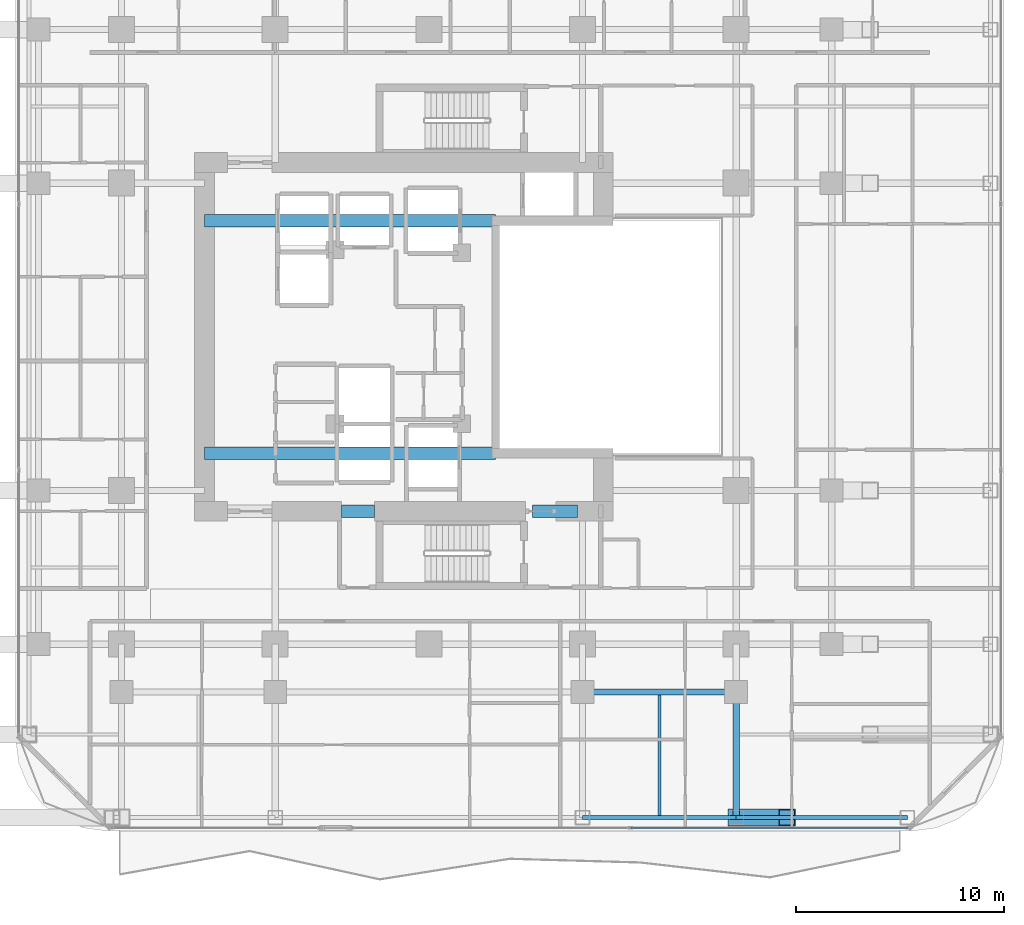
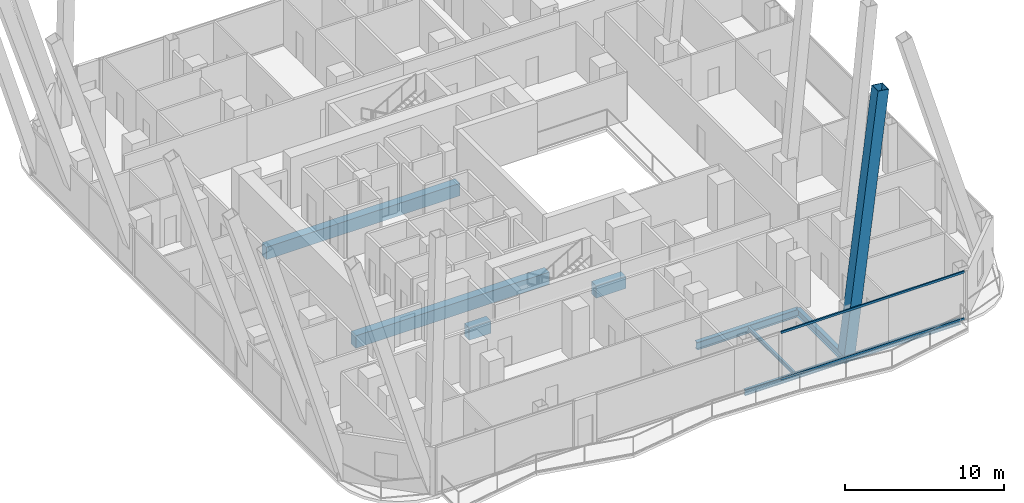
# One storey, part 8 of 32: 9 beams, 3 members, 1 element without a shape of its own.
"""IFC4 building model written with IfcOpenShell, lengths in metres."""

from ifc_helpers import new_model, si_unit, direction, frame, origin, origin_2d, place, context, subcontext, project, spatial, rectangle, hollow_rectangle, i_section, extrude, material, layer, layer_set, material_profile, profile_set, type_object, element, aggregate, save


model = new_model("IFC4")

# Units and contexts
model_context = context("Model", 3, precision=1e-05, world=origin(), true_north=direction((0.0, 1.0)))
body_context = subcontext(model_context, "Body", "Model", "MODEL_VIEW")
ifc_project = project(units=[si_unit("LENGTHUNIT", "METRE"), si_unit("AREAUNIT", "SQUARE_METRE"), si_unit("VOLUMEUNIT", "CUBIC_METRE"), si_unit("PLANEANGLEUNIT", "RADIAN"), si_unit("MASSUNIT", "GRAM", prefix="KILO")], contexts=[model_context])

# Site, building, storey
site_placement = place(None, origin())
site = spatial("IfcSite", under=ifc_project, at=site_placement, CompositionType="ELEMENT")
building_placement = place(site_placement, origin())
building = spatial("IfcBuilding", under=site, at=building_placement, Name="Khorvyn Point Tower", CompositionType="ELEMENT")
storey_placement = place(building_placement, frame((0.0, 0.0, 148.5)))
storey = spatial("IfcBuildingStorey", under=building, at=storey_placement, Name="L37", CompositionType="ELEMENT", Elevation=148.5)

# Curtain wall, members
ifc_material_1 = material(Name="Anodised aluminium 6063-T6 and laminated Low-E glass", Category="aluminium")
ifc_layer = layer(ifc_material_1, 0.18994140625)
ifc_layer_set = layer_set([ifc_layer], Name="Stick-Built Acoustic Curtain Wall CW-SYS-03")
curtain_wall_type = type_object("IfcCurtainWallType", Name="Stick-Built Acoustic Curtain Wall CW-SYS-03", PredefinedType="NOTDEFINED", material=ifc_layer_set)
curtain_wall_placement = place(storey_placement, origin())
curtain_wall = element("IfcCurtainWall", 1, at=curtain_wall_placement, inside=storey, type_object=curtain_wall_type, Name="Curtain Wall", PredefinedType="NOTDEFINED")
ifc_material_2 = material(Name="Anodised aluminium 6063-T6", Category="aluminium")
ifc_material_profile_1 = material_profile(ifc_material_2, hollow_rectangle(XDim=0.10009765625, YDim=0.159912109375, WallThickness=0.00439453125, at=origin_2d()))
ifc_profile_set_1 = profile_set([ifc_material_profile_1], Name="Anodised aluminium 6063-T6 ALU-TRN-100x160")
member_type_1 = type_object("IfcMemberType", Name="Anodised Aluminium 6063-T6 Transom ALU-TRN-100x160", PredefinedType="USERDEFINED", material=ifc_profile_set_1)
member_1_placement = place(storey_placement, frame((23.050048828125, -23.64990234375, 0.050048828125), z_axis=(-1.0, 0.0, 0.0), x_axis=(0.0, -1.0, 0.0)))
member_1 = element("IfcMember", 2, at=member_1_placement, type_object=member_type_1, Name="Transom", ObjectType="TRANSOM", PredefinedType="USERDEFINED", context=body_context, shape_type="SweptSolid", body=[
    extrude(hollow_rectangle(XDim=0.10009765625, YDim=0.159912109375, WallThickness=0.00439453125, at=origin_2d()), origin(), (0.0, 0.0, 1.0), 13.3056640625),
])
member_2_placement = place(storey_placement, frame((23.050048828125, -23.64990234375, 3.6298828125), z_axis=(-1.0, 0.0, 0.0), x_axis=(0.0, -1.0, 0.0)))
member_2 = element("IfcMember", 3, at=member_2_placement, type_object=member_type_1, Name="Transom", ObjectType="TRANSOM", PredefinedType="USERDEFINED", context=body_context, shape_type="SweptSolid", body=[
    extrude(hollow_rectangle(XDim=0.10009765625, YDim=0.159912109375, WallThickness=0.00439453125, at=origin_2d()), origin(), (0.0, 0.0, 1.0), 13.3056640625),
])
aggregate(curtain_wall, [member_1, member_2])

# Beams
ifc_material_3 = material(Name="Concrete C50/60", Category="concrete")
ifc_material_profile_2 = material_profile(ifc_material_3, rectangle(XDim=0.60009765625, YDim=0.949951171875, at=origin_2d()))
ifc_profile_set_2 = profile_set([ifc_material_profile_2], Name="Concrete C50/60 RC600x950")
beam_type_1 = type_object("IfcBeamType", Name="Concrete C50/60 Beam RC600x950", PredefinedType="BEAM", material=ifc_profile_set_2)
for number, where, z_axis, x_axis, name in (
    (4, (-10.800048828125, -5.60009765625, -0.695068359375), (1.0, 0.0, 0.0), (0.0, 1.0, 0.0), "L37 Core Internal Tie Girder S"),
    (5, (-10.800048828125, 5.60009765625, -0.695068359375), (1.0, 0.0, 0.0), (0.0, 1.0, 0.0), "L37 Core Internal Tie Girder N"),
):
    element("IfcBeam", number, at=place(storey_placement, frame(where, z_axis=z_axis, x_axis=x_axis)), inside=storey, type_object=beam_type_1, Name=name, PredefinedType="BEAM", context=body_context, shape_type="SweptSolid", body=[
        extrude(rectangle(XDim=0.60009765625, YDim=0.949951171875, at=origin_2d()), origin(), (0.0, 0.0, 1.0), 14.02001953125),
    ])
beam_1_placement = place(storey_placement, frame((-4.199951171875, -8.39990234375, -0.695068359375), z_axis=(1.0, 0.0, 0.0), x_axis=(0.0, 1.0, 0.0)))
element("IfcBeam", 6, at=beam_1_placement, inside=storey, type_object=beam_type_1, Name="L37 Core Shuttle Portal Coupling Beam", PredefinedType="BEAM", context=body_context, shape_type="SweptSolid", body=[
    extrude(rectangle(XDim=0.60009765625, YDim=0.949951171875, at=origin_2d()), origin(), (0.0, 0.0, 1.0), 1.579833984375),
])
beam_2_placement = place(storey_placement, frame((5.0, -8.39990234375, -0.695068359375), z_axis=(1.0, 0.0, 0.0), x_axis=(0.0, 1.0, 0.0)))
element("IfcBeam", 7, at=beam_2_placement, inside=storey, type_object=beam_type_1, Name="L37 Core Southeast Portal Coupling Beam", PredefinedType="BEAM", context=body_context, shape_type="SweptSolid", body=[
    extrude(rectangle(XDim=0.60009765625, YDim=0.949951171875, at=origin_2d()), origin(), (0.0, 0.0, 1.0), 2.14990234375),
])
ifc_material_4 = material(Name="Steel S355", Category="steel")
ifc_material_profile_3 = material_profile(ifc_material_4, i_section(OverallWidth=0.300048828125, OverallDepth=0.587890625, WebThickness=0.011962890625, FlangeThickness=0.02001953125, at=origin_2d()))
ifc_profile_set_3 = profile_set([ifc_material_profile_3], Name="Steel S355 H588x300x12x20")
beam_type_2 = type_object("IfcBeamType", Name="Steel S355 Beam H588x300x12x20", PredefinedType="BEAM", material=ifc_profile_set_3)
beam_3_placement = place(storey_placement, frame((7.39990234375, -17.10009765625, -0.513916015625), z_axis=(1.0, 0.0, 0.0), x_axis=(0.0, 1.0, 0.0)))
element("IfcBeam", 8, at=beam_3_placement, inside=storey, type_object=beam_type_2, Name="Beam", PredefinedType="BEAM", context=body_context, shape_type="SweptSolid", body=[
    extrude(i_section(OverallWidth=0.300048828125, OverallDepth=0.587890625, WebThickness=0.011962890625, FlangeThickness=0.02001953125, at=origin_2d()), origin(), (0.0, 0.0, 1.0), 7.400146484375),
])
beam_4_placement = place(storey_placement, frame((14.800048828125, -23.14990234375, -0.513916015625), z_axis=(0.0, 1.0, 0.0), x_axis=(-1.0, 0.0, 0.0)))
element("IfcBeam", 9, at=beam_4_placement, inside=storey, type_object=beam_type_2, Name="Beam", PredefinedType="BEAM", context=body_context, shape_type="SweptSolid", body=[
    extrude(i_section(OverallWidth=0.300048828125, OverallDepth=0.587890625, WebThickness=0.011962890625, FlangeThickness=0.02001953125, at=origin_2d()), origin(), (0.0, 0.0, 1.0), 6.0498046875),
])
ifc_material_profile_4 = material_profile(ifc_material_4, i_section(OverallWidth=0.14990234375, OverallDepth=0.300048828125, WebThickness=0.006591796875, FlangeThickness=0.009033203125, at=origin_2d()))
ifc_profile_set_4 = profile_set([ifc_material_profile_4], Name="Steel S355 H300x150x6.5x9")
beam_type_3 = type_object("IfcBeamType", Name="Steel S355 Joist H300x150x6.5x9", PredefinedType="JOIST", material=ifc_profile_set_4)
beam_5_placement = place(storey_placement, frame((11.10009765625, -23.050048828125, -0.3701171875), z_axis=(0.0, 1.0, 0.0), x_axis=(-1.0, 0.0, 0.0)))
element("IfcBeam", 10, at=beam_5_placement, inside=storey, type_object=beam_type_3, Name="Beam", PredefinedType="JOIST", context=body_context, shape_type="SweptSolid", body=[
    extrude(i_section(OverallWidth=0.14990234375, OverallDepth=0.300048828125, WebThickness=0.006591796875, FlangeThickness=0.009033203125, at=origin_2d()), origin(), (0.0, 0.0, 1.0), 5.800048828125),
])
ifc_material_profile_5 = material_profile(ifc_material_4, i_section(OverallWidth=0.199951171875, OverallDepth=0.449951171875, WebThickness=0.009033203125, FlangeThickness=0.013916015625, at=origin_2d()))
ifc_profile_set_5 = profile_set([ifc_material_profile_5], Name="Steel S355 H450x200x9x14")
beam_type_4 = type_object("IfcBeamType", Name="Steel S355 Spandrel H450x200x9x14", PredefinedType="SPANDREL", material=ifc_profile_set_5)
beam_6_placement = place(storey_placement, frame((7.39990234375, -23.14990234375, -0.445068359375), z_axis=(1.0, 0.0, 0.0), x_axis=(0.0, 1.0, 0.0)))
element("IfcBeam", 11, at=beam_6_placement, inside=storey, type_object=beam_type_4, Name="Beam", PredefinedType="SPANDREL", context=body_context, shape_type="SweptSolid", body=[
    extrude(i_section(OverallWidth=0.199951171875, OverallDepth=0.449951171875, WebThickness=0.009033203125, FlangeThickness=0.013916015625, at=origin_2d()), origin(), (0.0, 0.0, 1.0), 7.400146484375),
])
beam_7_placement = place(storey_placement, frame((14.800048828125, -23.14990234375, -0.445068359375), z_axis=(1.0, 0.0, 0.0), x_axis=(0.0, 1.0, 0.0)))
element("IfcBeam", 12, at=beam_7_placement, inside=storey, type_object=beam_type_4, Name="Beam", PredefinedType="SPANDREL", context=body_context, shape_type="SweptSolid", body=[
    extrude(i_section(OverallWidth=0.199951171875, OverallDepth=0.449951171875, WebThickness=0.009033203125, FlangeThickness=0.013916015625, at=origin_2d()), origin(), (0.0, 0.0, 1.0), 8.25),
])

# Member
ifc_material_5 = material(Name="Steel S450", Category="steel")
ifc_material_profile_6 = material_profile(ifc_material_5, hollow_rectangle(XDim=0.800048828125, YDim=0.800048828125, WallThickness=0.035888671875, at=origin_2d()))
ifc_profile_set_6 = profile_set([ifc_material_profile_6], Name="Steel S450 BOX800x800x36")
member_type_2 = type_object("IfcMemberType", Name="Steel S450 Exoskeleton Structural Post BOX800x800x36", PredefinedType="POST", material=ifc_profile_set_6)
member_3_placement = place(storey_placement, frame((14.800048828125, -23.14990234375, 0.0), z_axis=(0.124658504274, 0.0, 0.992199706366), x_axis=(0.0, 1.0, 0.0)))
element("IfcMember", 13, at=member_3_placement, inside=storey, type_object=member_type_2, Name="L37 to L41 Exoskeleton Transfer Post 02", PredefinedType="POST", context=body_context, shape_type="SweptSolid", body=[
    extrude(hollow_rectangle(XDim=0.800048828125, YDim=0.800048828125, WallThickness=0.035888671875, at=origin_2d()), origin(), (0.0, 0.0, 1.0), 19.6533203125),
])

save(model, "model.ifc")
